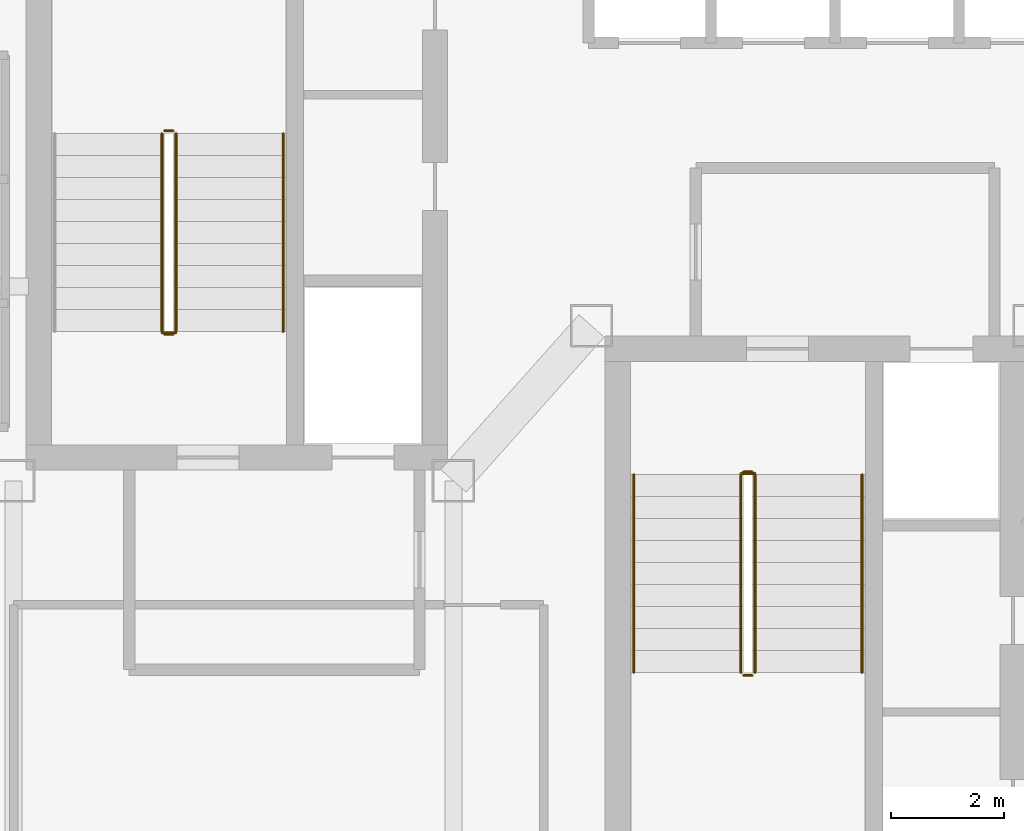
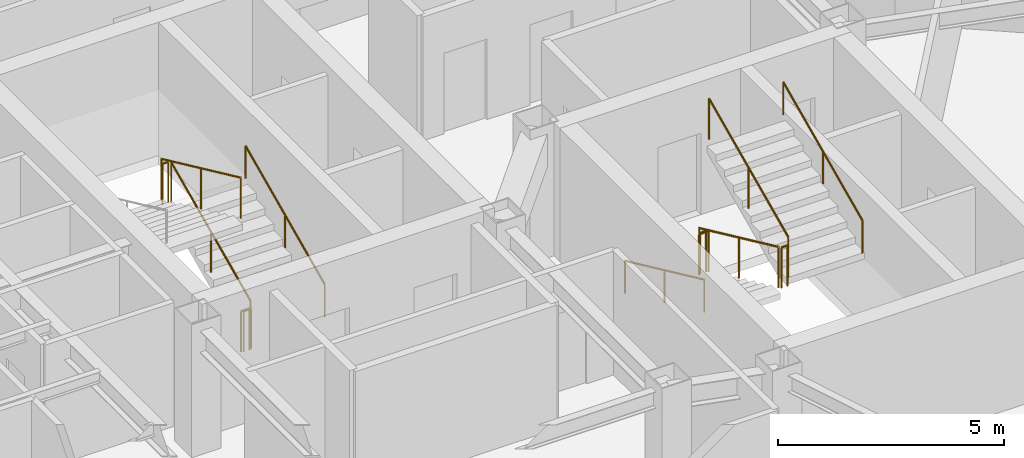
# One storey, part 23 of 24: 13 railings.
"""IFC4 building model written with IfcOpenShell, lengths in metres."""

from ifc_helpers import new_model, si_unit, direction, frame, origin, origin_2d, place, context, subcontext, project, spatial, circle, extrude, material, layer, layer_set, type_object, element, save


model = new_model("IFC4")

# Units and contexts
model_context = context("Model", 3, precision=1e-05, world=origin(), true_north=direction((0.0, 1.0)))
body_context = subcontext(model_context, "Body", "Model", "MODEL_VIEW")
ifc_project = project(units=[si_unit("LENGTHUNIT", "METRE"), si_unit("AREAUNIT", "SQUARE_METRE"), si_unit("VOLUMEUNIT", "CUBIC_METRE"), si_unit("PLANEANGLEUNIT", "RADIAN"), si_unit("MASSUNIT", "GRAM", prefix="KILO")], contexts=[model_context])

# Site, building, storey
site_placement = place(None, origin())
site = spatial("IfcSite", under=ifc_project, at=site_placement, CompositionType="ELEMENT")
building_placement = place(site_placement, origin())
building = spatial("IfcBuilding", under=site, at=building_placement, Name="Hatsunagi Terrace Concourse", CompositionType="ELEMENT")
storey_placement = place(building_placement, frame((0.0, 0.0, 202.35009765625)))
storey = spatial("IfcBuildingStorey", under=building, at=storey_placement, Name="L53", CompositionType="ELEMENT", Elevation=202.35009765625)

# Railings
ifc_material_1 = material(Name="Stainless steel", Category="steel")
ifc_layer_1 = layer(ifc_material_1, 0.044921875)
ifc_layer_set_1 = layer_set([ifc_layer_1], Name="StairPitchHandrail_Tower2000")
railing_type_1 = type_object("IfcRailingType", Name="StairPitchHandrail_Tower2000", PredefinedType="HANDRAIL", material=ifc_layer_set_1)
railing_1_placement = place(storey_placement, frame((30.330078125, 35.199951171875, 0.179931640625)))
element("IfcRailing", 1, at=railing_1_placement, inside=storey, type_object=railing_type_1, Name="L53 ST-A stair handrail 1", PredefinedType="HANDRAIL", context=body_context, shape_type="SweptSolid", body=[
    extrude(circle(Radius=0.02392578125, at=origin_2d()), frame((0.0, 0.0, 0.8759765625), z_axis=(0.0, 0.907972323039, 0.419030142823), x_axis=(-1.0, 0.0, 0.0)), (0.0, 0.0, 1.0), 3.86572265625),
    extrude(circle(Radius=0.02099609375, at=origin_2d()), origin(), (0.0, 0.0, 1.0), 0.851806640625),
    extrude(circle(Radius=0.02099609375, at=origin_2d()), frame((0.0, 1.7548828125, 0.81005859375)), (0.0, 0.0, 1.0), 0.851806640625),
    extrude(circle(Radius=0.02099609375, at=origin_2d()), frame((0.0, 3.510009765625, 1.619873046875)), (0.0, 0.0, 1.0), 0.851806640625),
])
railing_2_placement = place(storey_placement, frame((36.550048828125, 32.659912109375, 0.179931640625)))
element("IfcRailing", 2, at=railing_2_placement, inside=storey, type_object=railing_type_1, Name="L53 ST-B stair handrail 1", PredefinedType="HANDRAIL", context=body_context, shape_type="SweptSolid", body=[
    extrude(circle(Radius=0.02392578125, at=origin_2d()), frame((0.0, 0.0, 0.8759765625), z_axis=(0.0, -0.907972323039, 0.419030142823), x_axis=(1.0, 0.0, 0.0)), (0.0, 0.0, 1.0), 3.86572265625),
    extrude(circle(Radius=0.02099609375, at=origin_2d()), origin(), (0.0, 0.0, 1.0), 0.851806640625),
    extrude(circle(Radius=0.02099609375, at=origin_2d()), frame((0.0, -1.7548828125, 0.81005859375)), (0.0, 0.0, 1.0), 0.851806640625),
    extrude(circle(Radius=0.02099609375, at=origin_2d()), frame((0.0, -3.510009765625, 1.619873046875)), (0.0, 0.0, 1.0), 0.851806640625),
])
railing_3_placement = place(storey_placement, frame((40.60009765625, 29.14990234375, 1.97998046875)))
element("IfcRailing", 3, at=railing_3_placement, inside=storey, type_object=railing_type_1, Name="L53 ST-B stair handrail 2", PredefinedType="HANDRAIL", context=body_context, shape_type="SweptSolid", body=[
    extrude(circle(Radius=0.02392578125, at=origin_2d()), frame((0.0, 0.0, 0.8759765625), z_axis=(0.0, 0.907972323039, 0.419030142823), x_axis=(-1.0, 0.0, 0.0)), (0.0, 0.0, 1.0), 3.86572265625),
    extrude(circle(Radius=0.02099609375, at=origin_2d()), origin(), (0.0, 0.0, 1.0), 0.851806640625),
    extrude(circle(Radius=0.02099609375, at=origin_2d()), frame((0.0, 1.7548828125, 0.81005859375)), (0.0, 0.0, 1.0), 0.851806640625),
    extrude(circle(Radius=0.02099609375, at=origin_2d()), frame((0.0, 3.510009765625, 1.619873046875)), (0.0, 0.0, 1.0), 0.851806640625),
])
ifc_material_2 = material(Name="Stainless steel", Category="steel")
ifc_layer_2 = layer(ifc_material_2, 0.06005859375)
ifc_layer_set_2 = layer_set([ifc_layer_2], Name="StairWellGuard_Tower2000")
railing_type_2 = type_object("IfcRailingType", Name="StairWellGuard_Tower2000", PredefinedType="BALUSTRADE", material=ifc_layer_set_2)
railing_4_placement = place(storey_placement, frame((28.429931640625, 35.199951171875, 0.179931640625)))
element("IfcRailing", 4, at=railing_4_placement, inside=storey, type_object=railing_type_2, Name="L53 ST-A stair guard 1", PredefinedType="BALUSTRADE", context=body_context, shape_type="SweptSolid", body=[
    extrude(circle(Radius=0.02392578125, at=origin_2d()), frame((0.0, 0.0, 1.09619140625), z_axis=(0.0, 0.907972323039, 0.419030142823), x_axis=(-1.0, 0.0, 0.0)), (0.0, 0.0, 1.0), 3.86572265625),
    extrude(circle(Radius=0.02099609375, at=origin_2d()), origin(), (0.0, 0.0, 1.0), 1.072021484375),
    extrude(circle(Radius=0.02099609375, at=origin_2d()), frame((0.0, 1.7548828125, 0.81005859375)), (0.0, 0.0, 1.0), 1.072021484375),
    extrude(circle(Radius=0.02099609375, at=origin_2d()), frame((0.0, 3.510009765625, 1.619873046875)), (0.0, 0.0, 1.0), 1.072021484375),
])
railing_5_placement = place(storey_placement, frame((28.3798828125, 38.760009765625, 1.7998046875)))
element("IfcRailing", 5, at=railing_5_placement, inside=storey, type_object=railing_type_2, Name="L53 ST-A stair guard 2", PredefinedType="BALUSTRADE", context=body_context, shape_type="SweptSolid", body=[
    extrude(circle(Radius=0.02392578125, at=origin_2d()), frame((0.0, 0.0, 1.09619140625), z_axis=(-1.0, 0.0, 0.0), x_axis=(0.0, -1.0, 0.0)), (0.0, 0.0, 1.0), 0.14990234375),
    extrude(circle(Radius=0.02099609375, at=origin_2d()), origin(), (0.0, 0.0, 1.0), 1.072021484375),
    extrude(circle(Radius=0.02099609375, at=origin_2d()), frame((-0.14990234375, 0.0, 0.0)), (0.0, 0.0, 1.0), 1.072021484375),
])
railing_6_placement = place(storey_placement, frame((28.179931640625, 38.7099609375, 1.97998046875)))
element("IfcRailing", 6, at=railing_6_placement, inside=storey, type_object=railing_type_2, Name="L53 ST-A stair guard 3", PredefinedType="BALUSTRADE", context=body_context, shape_type="SweptSolid", body=[
    extrude(circle(Radius=0.02392578125, at=origin_2d()), frame((0.0, 0.0, 1.09619140625), z_axis=(0.0, -0.907972323039, 0.419030142823), x_axis=(1.0, 0.0, 0.0)), (0.0, 0.0, 1.0), 3.86572265625),
    extrude(circle(Radius=0.02099609375, at=origin_2d()), origin(), (0.0, 0.0, 1.0), 1.072021484375),
    extrude(circle(Radius=0.02099609375, at=origin_2d()), frame((0.0, -1.7548828125, 0.81005859375)), (0.0, 0.0, 1.0), 1.072021484375),
    extrude(circle(Radius=0.02099609375, at=origin_2d()), frame((0.0, -3.510009765625, 1.619873046875)), (0.0, 0.0, 1.0), 1.072021484375),
])
railing_7_placement = place(storey_placement, frame((28.3798828125, 35.14990234375, 0.0)))
element("IfcRailing", 7, at=railing_7_placement, inside=storey, type_object=railing_type_2, Name="L53 ST-A stair guard 4", PredefinedType="BALUSTRADE", context=body_context, shape_type="SweptSolid", body=[
    extrude(circle(Radius=0.02392578125, at=origin_2d()), frame((0.0, 0.0, 1.09619140625), z_axis=(-1.0, 0.0, 0.0), x_axis=(0.0, -1.0, 0.0)), (0.0, 0.0, 1.0), 0.14990234375),
    extrude(circle(Radius=0.02099609375, at=origin_2d()), origin(), (0.0, 0.0, 1.0), 1.072021484375),
    extrude(circle(Radius=0.02099609375, at=origin_2d()), frame((-0.14990234375, 0.0, 0.0)), (0.0, 0.0, 1.0), 1.072021484375),
])
railing_8_placement = place(storey_placement, frame((38.449951171875, 32.659912109375, 0.179931640625)))
element("IfcRailing", 8, at=railing_8_placement, inside=storey, type_object=railing_type_2, Name="L53 ST-B stair guard 1", PredefinedType="BALUSTRADE", context=body_context, shape_type="SweptSolid", body=[
    extrude(circle(Radius=0.02392578125, at=origin_2d()), frame((0.0, 0.0, 1.09619140625), z_axis=(0.0, -0.907972323039, 0.419030142823), x_axis=(1.0, 0.0, 0.0)), (0.0, 0.0, 1.0), 3.86572265625),
    extrude(circle(Radius=0.02099609375, at=origin_2d()), origin(), (0.0, 0.0, 1.0), 1.072021484375),
    extrude(circle(Radius=0.02099609375, at=origin_2d()), frame((0.0, -1.7548828125, 0.81005859375)), (0.0, 0.0, 1.0), 1.072021484375),
    extrude(circle(Radius=0.02099609375, at=origin_2d()), frame((0.0, -3.510009765625, 1.619873046875)), (0.0, 0.0, 1.0), 1.072021484375),
])
railing_9_placement = place(storey_placement, frame((38.5, 29.10009765625, 1.7998046875)))
element("IfcRailing", 9, at=railing_9_placement, inside=storey, type_object=railing_type_2, Name="L53 ST-B stair guard 2", PredefinedType="BALUSTRADE", context=body_context, shape_type="SweptSolid", body=[
    extrude(circle(Radius=0.02392578125, at=origin_2d()), frame((0.0, 0.0, 1.09619140625), z_axis=(1.0, 0.0, 0.0), x_axis=(0.0, 1.0, 0.0)), (0.0, 0.0, 1.0), 0.14990234375),
    extrude(circle(Radius=0.02099609375, at=origin_2d()), origin(), (0.0, 0.0, 1.0), 1.072021484375),
    extrude(circle(Radius=0.02099609375, at=origin_2d()), frame((0.14990234375, 0.0, 0.0)), (0.0, 0.0, 1.0), 1.072021484375),
])
railing_10_placement = place(storey_placement, frame((38.699951171875, 29.14990234375, 1.97998046875)))
element("IfcRailing", 10, at=railing_10_placement, inside=storey, type_object=railing_type_2, Name="L53 ST-B stair guard 3", PredefinedType="BALUSTRADE", context=body_context, shape_type="SweptSolid", body=[
    extrude(circle(Radius=0.02392578125, at=origin_2d()), frame((0.0, 0.0, 1.09619140625), z_axis=(0.0, 0.907972323039, 0.419030142823), x_axis=(-1.0, 0.0, 0.0)), (0.0, 0.0, 1.0), 3.86572265625),
    extrude(circle(Radius=0.02099609375, at=origin_2d()), origin(), (0.0, 0.0, 1.0), 1.072021484375),
    extrude(circle(Radius=0.02099609375, at=origin_2d()), frame((0.0, 1.7548828125, 0.81005859375)), (0.0, 0.0, 1.0), 1.072021484375),
    extrude(circle(Radius=0.02099609375, at=origin_2d()), frame((0.0, 3.510009765625, 1.619873046875)), (0.0, 0.0, 1.0), 1.072021484375),
])
railing_11_placement = place(storey_placement, frame((38.5, 32.7099609375, 0.0)))
element("IfcRailing", 11, at=railing_11_placement, inside=storey, type_object=railing_type_2, Name="L53 ST-B stair guard 4", PredefinedType="BALUSTRADE", context=body_context, shape_type="SweptSolid", body=[
    extrude(circle(Radius=0.02392578125, at=origin_2d()), frame((0.0, 0.0, 1.09619140625), z_axis=(1.0, 0.0, 0.0), x_axis=(0.0, 1.0, 0.0)), (0.0, 0.0, 1.0), 0.14990234375),
    extrude(circle(Radius=0.02099609375, at=origin_2d()), origin(), (0.0, 0.0, 1.0), 1.072021484375),
    extrude(circle(Radius=0.02099609375, at=origin_2d()), frame((0.14990234375, 0.0, 0.0)), (0.0, 0.0, 1.0), 1.072021484375),
])
ifc_material_3 = material(Name="Stainless Steel SUS316 Post-and-Rail Guard", Category="steel")
ifc_layer_3 = layer(ifc_material_3, 0.080078125)
ifc_layer_set_3 = layer_set([ifc_layer_3], Name="TerracePlantedGuardRail_1200")
railing_type_3 = type_object("IfcRailingType", Name="TerracePlantedGuardRail_1200", PredefinedType="GUARDRAIL", material=ifc_layer_set_3)
for number, where, name in (
    (12, (28.179931640625, 35.179931640625, 0.0), "Stair ST-A Well Closure Guard L53"),
    (13, (38.449951171875, 32.679931640625, 0.0), "Stair ST-B Well Closure Guard L53"),
):
    element("IfcRailing", number, at=place(storey_placement, frame(where)), inside=storey, type_object=railing_type_3, Name=name, PredefinedType="GUARDRAIL", context=body_context, shape_type="SweptSolid", body=[
        extrude(circle(Radius=0.02392578125, at=origin_2d()), frame((0.0, 0.0, 1.09619140625), z_axis=(1.0, 0.0, 0.0), x_axis=(0.0, 1.0, 0.0)), (0.0, 0.0, 1.0), 0.25),
        extrude(circle(Radius=0.02099609375, at=origin_2d()), origin(), (0.0, 0.0, 1.0), 1.072021484375),
        extrude(circle(Radius=0.02099609375, at=origin_2d()), frame((0.25, 0.0, 0.0)), (0.0, 0.0, 1.0), 1.072021484375),
    ])

save(model, "model.ifc")
